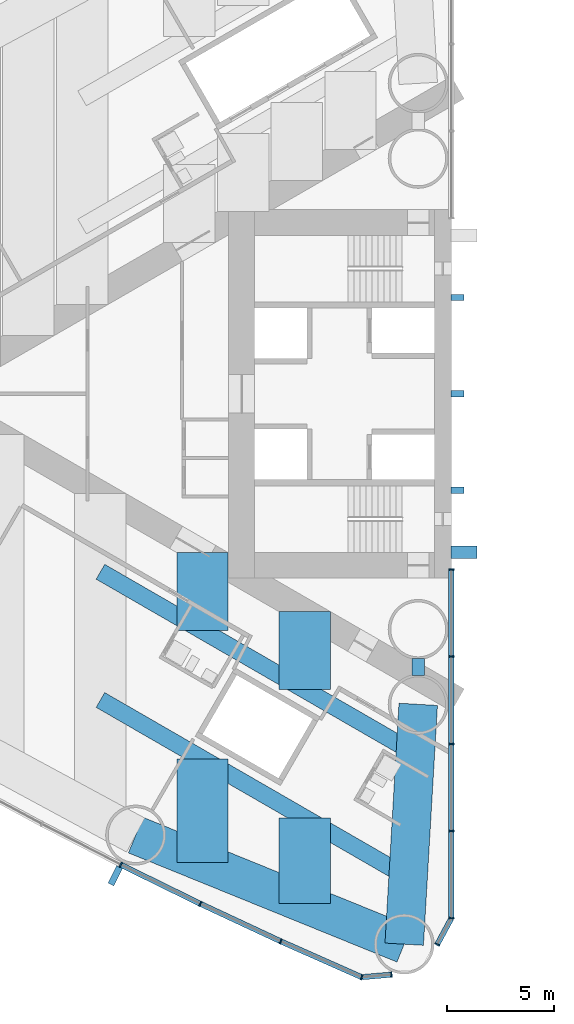
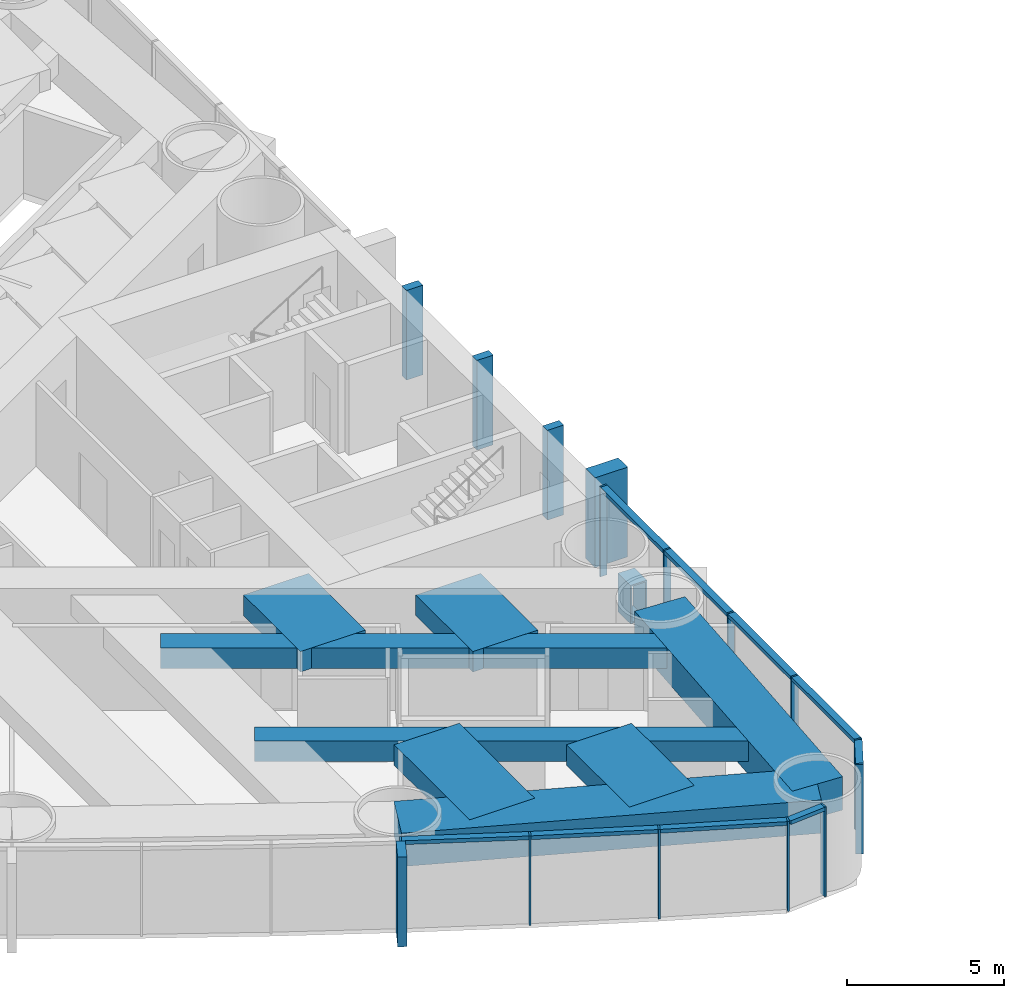
# One storey, part 3 of 18: 25 members, 9 beams, 2 elements without a shape of their own.
"""IFC4 building model written with IfcOpenShell, lengths in metres."""

import ifcopenshell
import ifcopenshell.guid

model = None  # the IFC model being written
_history = None  # IfcOwnerHistory: only IFC2X3 demands one
_inside = {}  # id of a spatial element -> (the spatial element, [elements in it])
_under = {}  # id of a project, library or spatial element -> (it, [spatial elements below it])
_declared = {}  # id of a project -> (the project, [libraries it declares])
_typed = {}  # id of a type object -> (the type object, [elements of that type])
_made_of = {}  # id of a material, layer set ... -> (it, [elements and type objects made of it])


def new_model(schema):
    """Start an empty IFC model of exactly this schema.

    Asked for "IFC4X3", IfcOpenShell would pick the latest addendum, in which some entities
    have other attributes; the version numbers below select the first issue.
    IFC2X3 requires an IfcOwnerHistory on every rooted entity: one is made here for all.
    """
    global model, _history
    if schema == "IFC4X3":
        model = ifcopenshell.file(schema_version=(4, 3, 0, 0))
    else:
        model = ifcopenshell.file(schema=schema)
    _inside.clear()
    _under.clear()
    _declared.clear()
    _typed.clear()
    _made_of.clear()
    _history = None
    if model.schema == "IFC2X3":
        org = make("IfcOrganization", Name="unknown")
        user = make(
            "IfcPersonAndOrganization",
            ThePerson=make("IfcPerson", FamilyName="unknown"),
            TheOrganization=org,
        )
        app = make(
            "IfcApplication",
            ApplicationDeveloper=org,
            Version="unknown",
            ApplicationFullName="unknown",
            ApplicationIdentifier="unknown",
        )
        _history = make(
            "IfcOwnerHistory",
            OwningUser=user,
            OwningApplication=app,
            ChangeAction="ADDED",
            CreationDate=0,
        )
    return model


def make(cls, **values):
    """One entity of the class cls with the attributes given. An attribute that is None is left unset."""
    return model.create_entity(
        cls, **{name: value for name, value in values.items() if value is not None}
    )


def rooted(cls, **values):
    """An entity with a GlobalId (a new one), such as an element, a storey or a relation."""
    return make(cls, GlobalId=ifcopenshell.guid.new(), OwnerHistory=_history, **values)


def si_unit(unit_type, name, prefix=None):
    """IfcSIUnit, for example si_unit("LENGTHUNIT", "METRE", prefix="MILLI")."""
    return make("IfcSIUnit", UnitType=unit_type, Prefix=prefix, Name=name)


def assignment(units):
    """IfcUnitAssignment: the units of a project."""
    return None if units is None else make("IfcUnitAssignment", Units=units)


def point(xyz):
    """IfcCartesianPoint."""
    return None if xyz is None else make("IfcCartesianPoint", Coordinates=xyz)


def direction(xyz):
    """IfcDirection."""
    return None if xyz is None else make("IfcDirection", DirectionRatios=xyz)


def frame(location, z_axis=None, x_axis=None):
    """IfcAxis2Placement3D, a coordinate frame: its origin and axes. An axis left out is left unset."""
    return make(
        "IfcAxis2Placement3D",
        Location=point(location),
        Axis=direction(z_axis),
        RefDirection=direction(x_axis),
    )


def frame_2d(location, x_axis=None):
    """IfcAxis2Placement2D, a coordinate frame in the plane: its origin and x axis."""
    return make(
        "IfcAxis2Placement2D", Location=point(location), RefDirection=direction(x_axis)
    )


def origin():
    """The frame at (0, 0, 0) with its axes left unset."""
    return frame((0.0, 0.0, 0.0))


def origin_2d():
    """The frame at (0, 0) in the plane with its x axis left unset."""
    return frame_2d((0.0, 0.0))


def place(relative_to, where):
    """IfcLocalPlacement: puts the frame where relative to a parent placement (None: the world)."""
    return make(
        "IfcLocalPlacement", PlacementRelTo=relative_to, RelativePlacement=where
    )


def context(
    kind, dimensions, precision=None, world=None, true_north=None, identifier=None
):
    """IfcGeometricRepresentationContext, for example the 3D "Model" context."""
    return make(
        "IfcGeometricRepresentationContext",
        ContextIdentifier=identifier,
        ContextType=kind,
        CoordinateSpaceDimension=dimensions,
        Precision=precision,
        WorldCoordinateSystem=world,
        TrueNorth=true_north,
    )


def subcontext(parent, identifier, kind, view, scale=None):
    """IfcGeometricRepresentationSubContext, for example "Body" below "Model"."""
    return make(
        "IfcGeometricRepresentationSubContext",
        ContextIdentifier=identifier,
        ContextType=kind,
        ParentContext=parent,
        TargetScale=scale,
        TargetView=view,
    )


def project(units=None, contexts=None):
    """IfcProject with its units and contexts."""
    return rooted(
        "IfcProject",
        Name="project",
        RepresentationContexts=contexts,
        UnitsInContext=assignment(units),
    )


def spatial(cls, under=None, at=None, **own):
    """A site, building, storey or space (cls), placed at a placement, below another one or the project."""
    s = rooted(cls, ObjectPlacement=at, **own)
    if under is not None:
        _under.setdefault(under.id(), (under, []))[1].append(s)
    return s


def profile(cls, at=None, kind="AREA", **sizes):
    """A parametric profile (cls). Its sizes go by their IFC names, for example OverallWidth=200.0."""
    return make(cls, ProfileType=kind, Position=at, **sizes)


def rectangle(**sizes):
    """IfcRectangleProfileDef."""
    return profile("IfcRectangleProfileDef", **sizes)


def hollow_rectangle(**sizes):
    """IfcRectangleHollowProfileDef."""
    return profile("IfcRectangleHollowProfileDef", **sizes)


def extrude(swept, where, along, depth):
    """IfcExtrudedAreaSolid: the profile swept, set in the frame where, extruded along a direction by depth."""
    return make(
        "IfcExtrudedAreaSolid",
        SweptArea=swept,
        Position=where,
        ExtrudedDirection=direction(along),
        Depth=depth,
    )


def shape(context_of_items, identifier, shape_type, items):
    """IfcShapeRepresentation: the items that make up one representation, for example the "Body"."""
    return make(
        "IfcShapeRepresentation",
        ContextOfItems=context_of_items,
        RepresentationIdentifier=identifier,
        RepresentationType=shape_type,
        Items=items,
    )


def material(Name=None, Category=None):
    """IfcMaterial."""
    return make("IfcMaterial", Name=Name, Category=Category)


def material_profile(
    of_material, cross_section, Name=None, Category=None, Priority=None
):
    """IfcMaterialProfile: a cross section and its material."""
    return make(
        "IfcMaterialProfile",
        Name=Name,
        Material=of_material,
        Profile=cross_section,
        Priority=Priority,
        Category=Category,
    )


def profile_set(profiles, Name=None, composite=None):
    """IfcMaterialProfileSet."""
    return make(
        "IfcMaterialProfileSet",
        Name=Name,
        MaterialProfiles=profiles,
        CompositeProfile=composite,
    )


def made_of(thing, what):
    """Note that an element or type object is made of a material, layer set ...; save() writes the relation."""
    if what is not None:
        _made_of.setdefault(what.id(), (what, []))[1].append(thing)
    return thing


def type_object(cls, material=None, **own):
    """A type object (cls), such as IfcWallType, which elements share."""
    return made_of(rooted(cls, **own), material)


def element(
    cls,
    number,
    at=None,
    inside=None,
    cuts=None,
    type_object=None,
    material=None,
    context=None,
    identifier="Body",
    shape_type=None,
    held_by="IfcProductDefinitionShape",
    body=None,
    shapes=None,
    **own,
):
    """One element of the class cls, such as IfcWall. Its Tag is "e" and its number.

    at: its placement. inside: the storey or other place that contains it. cuts: it is an
    opening in that element (IfcRelVoidsElement). A single representation is given by context,
    identifier, shape_type and body (its items); several are given by shapes. held_by: the class
    of the entity that holds the representations. save() writes the other relations.
    """
    e = rooted(cls, Tag="e%d" % number, ObjectPlacement=at, **own)
    if body is not None:
        shapes = [shape(context, identifier, shape_type, body)]
    if shapes is not None:
        e.Representation = make(held_by, Representations=shapes)
    if inside is not None:
        _inside.setdefault(inside.id(), (inside, []))[1].append(e)
    if cuts is not None:
        rooted(
            "IfcRelVoidsElement", RelatingBuildingElement=cuts, RelatedOpeningElement=e
        )
    if type_object is not None:
        _typed.setdefault(type_object.id(), (type_object, []))[1].append(e)
    return made_of(e, material)


def aggregate(whole, parts):
    """IfcRelAggregates: a whole, such as a stair, and the parts it consists of."""
    return rooted("IfcRelAggregates", RelatingObject=whole, RelatedObjects=parts)


def save(model, path):
    """Write the relations noted so far, then the file.

    IfcRelAggregates (storeys below a building ...), IfcRelContainedInSpatialStructure (elements
    in a storey), IfcRelDefinesByType, IfcRelAssociatesMaterial and IfcRelDeclares: one each for
    every whole, place, type object, material and project.
    """
    for whole, parts in _under.values():
        aggregate(whole, parts)
    for where, things in _inside.values():
        rooted(
            "IfcRelContainedInSpatialStructure",
            RelatedElements=things,
            RelatingStructure=where,
        )
    for kind, things in _typed.values():
        rooted("IfcRelDefinesByType", RelatedObjects=things, RelatingType=kind)
    for what, things in _made_of.values():
        rooted("IfcRelAssociatesMaterial", RelatedObjects=things, RelatingMaterial=what)
    for by, libraries in _declared.values():
        rooted("IfcRelDeclares", RelatingContext=by, RelatedDefinitions=libraries)
    model.write(path)


model = new_model("IFC4")

# Units and contexts
model_context = context("Model", 3, precision=1e-05, world=origin(), true_north=direction((0.0, 1.0)))
body_context = subcontext(model_context, "Body", "Model", "MODEL_VIEW")
ifc_project = project(units=[si_unit("LENGTHUNIT", "METRE"), si_unit("AREAUNIT", "SQUARE_METRE"), si_unit("VOLUMEUNIT", "CUBIC_METRE"), si_unit("PLANEANGLEUNIT", "RADIAN"), si_unit("MASSUNIT", "GRAM", prefix="KILO")], contexts=[model_context])

# Site, building, storey
site_placement = place(None, origin())
site = spatial("IfcSite", under=ifc_project, at=site_placement, CompositionType="ELEMENT")
building_placement = place(site_placement, origin())
building = spatial("IfcBuilding", under=site, at=building_placement, Name="Lancet Gate Hotel", CompositionType="ELEMENT")
storey_placement = place(building_placement, frame((0.0, 0.0, 53.0)))
storey = spatial("IfcBuildingStorey", under=building, at=storey_placement, Name="L13", CompositionType="ELEMENT", Elevation=53.0)

# Curtain wall, members
ifc_material_1 = material(Name="Aluminium curtain wall", Category="aluminium")
curtain_wall_type = type_object("IfcCurtainWallType", Name="Tower unitised curtain wall", PredefinedType="USERDEFINED", material=ifc_material_1)
curtain_wall_1_placement = place(storey_placement, origin())
curtain_wall_1 = element("IfcCurtainWall", 1, at=curtain_wall_1_placement, inside=storey, type_object=curtain_wall_type, Name="T1 L13 curtain wall 3", ObjectType="UNITISED CURTAIN WALL", PredefinedType="USERDEFINED")
ifc_material_2 = material(Name="Aluminium mullion", Category="aluminium")
ifc_material_profile_1 = material_profile(ifc_material_2, rectangle(XDim=0.06494140625, YDim=0.25, at=origin_2d()), Name="MULLION 65x250")
ifc_profile_set_1 = profile_set([ifc_material_profile_1], Name="Aluminium mullion")
member_type_1 = type_object("IfcMemberType", Name="Aluminium mullion 65x250", PredefinedType="MULLION", material=ifc_profile_set_1)
member_1_placement = place(storey_placement, frame((-42.94189453125, -21.991943359375, 0.0), z_axis=(0.0, 0.0, 1.0), x_axis=(0.893291549794, -0.449477704748, 0.0)))
member_1 = element("IfcMember", 2, at=member_1_placement, type_object=member_type_1, Name="T1 L13 curtain wall 3 mullion 11", PredefinedType="MULLION", context=body_context, shape_type="SweptSolid", body=[
    extrude(rectangle(XDim=0.06494140625, YDim=0.25, at=origin_2d()), origin(), (0.0, 0.0, 1.0), 3.5),
])
member_2_placement = place(storey_placement, frame((-39.225341796875, -23.816650390625, 0.0), z_axis=(0.0, 0.0, 1.0), x_axis=(0.901928838337, -0.431884672772, 0.0)))
member_2 = element("IfcMember", 3, at=member_2_placement, type_object=member_type_1, Name="T1 L13 curtain wall 3 mullion 12", PredefinedType="MULLION", context=body_context, shape_type="SweptSolid", body=[
    extrude(rectangle(XDim=0.06494140625, YDim=0.25, at=origin_2d()), origin(), (0.0, 0.0, 1.0), 3.5),
])
member_3_placement = place(storey_placement, frame((-35.473876953125, -25.568115234375, 0.0), z_axis=(0.0, 0.0, 1.0), x_axis=(0.910219680212, -0.414125746308, 0.0)))
member_3 = element("IfcMember", 4, at=member_3_placement, type_object=member_type_1, Name="T1 L13 curtain wall 3 mullion 13", PredefinedType="MULLION", context=body_context, shape_type="SweptSolid", body=[
    extrude(rectangle(XDim=0.06494140625, YDim=0.25, at=origin_2d()), origin(), (0.0, 0.0, 1.0), 3.5),
])
member_4_placement = place(storey_placement, frame((-31.688720703125, -27.24560546875, 0.0), z_axis=(0.0, 0.0, 1.0), x_axis=(0.957524354695, -0.288352406209, 0.0)))
member_4 = element("IfcMember", 5, at=member_4_placement, type_object=member_type_1, Name="T1 L13 curtain wall 3 mullion 14", PredefinedType="MULLION", context=body_context, shape_type="SweptSolid", body=[
    extrude(rectangle(XDim=0.06494140625, YDim=0.25, at=origin_2d()), origin(), (0.0, 0.0, 1.0), 3.5),
])
member_5_placement = place(storey_placement, frame((-30.3046875, -27.124755859375, 0.0), z_axis=(0.0, 0.0, 1.0), x_axis=(0.99620380374, 0.087051602022, 0.0)))
member_5 = element("IfcMember", 6, at=member_5_placement, type_object=member_type_1, Name="T1 L13 curtain wall 3 mullion 15", PredefinedType="MULLION", context=body_context, shape_type="SweptSolid", body=[
    extrude(rectangle(XDim=0.06494140625, YDim=0.25, at=origin_2d()), origin(), (0.0, 0.0, 1.0), 3.5),
])

curtain_wall_2_placement = place(storey_placement, origin())
curtain_wall_2 = element("IfcCurtainWall", 7, at=curtain_wall_2_placement, inside=storey, type_object=curtain_wall_type, Name="T1 L13 curtain wall 4", ObjectType="UNITISED CURTAIN WALL", PredefinedType="USERDEFINED")
member_6_placement = place(storey_placement, frame((-28.158935546875, -25.712890625, 0.0), z_axis=(0.0, 0.0, 1.0), x_axis=(0.474631040972, 0.880184852714, 0.0)))
member_6 = element("IfcMember", 8, at=member_6_placement, type_object=member_type_1, Name="T1 L13 curtain wall 4 mullion 1", PredefinedType="MULLION", context=body_context, shape_type="SweptSolid", body=[
    extrude(rectangle(XDim=0.06494140625, YDim=0.25, at=origin_2d()), origin(), (0.0, 0.0, 1.0), 3.5),
])
member_7_placement = place(storey_placement, frame((-27.5, -24.4912109375, 0.0), z_axis=(0.0, 0.0, 1.0), x_axis=(0.123482502544, 0.992346749662, 0.0)))
member_7 = element("IfcMember", 9, at=member_7_placement, type_object=member_type_1, Name="T1 L13 curtain wall 4 mullion 2", PredefinedType="MULLION", context=body_context, shape_type="SweptSolid", body=[
    extrude(rectangle(XDim=0.06494140625, YDim=0.25, at=origin_2d()), origin(), (0.0, 0.0, 1.0), 3.5),
])
member_8_placement = place(storey_placement, frame((-27.5, -20.41845703125, 0.0), z_axis=(0.0, 0.0, 1.0), x_axis=(0.0, 1.0, 0.0)))
member_8 = element("IfcMember", 10, at=member_8_placement, type_object=member_type_1, Name="T1 L13 curtain wall 4 mullion 3", PredefinedType="MULLION", context=body_context, shape_type="SweptSolid", body=[
    extrude(rectangle(XDim=0.06494140625, YDim=0.25, at=origin_2d()), origin(), (0.0, 0.0, 1.0), 3.5),
])
member_9_placement = place(storey_placement, frame((-27.5, -16.345703125, 0.0), z_axis=(0.0, 0.0, 1.0), x_axis=(0.0, 1.0, 0.0)))
member_9 = element("IfcMember", 11, at=member_9_placement, type_object=member_type_1, Name="T1 L13 curtain wall 4 mullion 4", PredefinedType="MULLION", context=body_context, shape_type="SweptSolid", body=[
    extrude(rectangle(XDim=0.06494140625, YDim=0.25, at=origin_2d()), origin(), (0.0, 0.0, 1.0), 3.5),
])
member_10_placement = place(storey_placement, frame((-27.5, -12.272705078125, 0.0), z_axis=(0.0, 0.0, 1.0), x_axis=(0.0, 1.0, 0.0)))
member_10 = element("IfcMember", 12, at=member_10_placement, type_object=member_type_1, Name="T1 L13 curtain wall 4 mullion 5", PredefinedType="MULLION", context=body_context, shape_type="SweptSolid", body=[
    extrude(rectangle(XDim=0.06494140625, YDim=0.25, at=origin_2d()), origin(), (0.0, 0.0, 1.0), 3.5),
])
member_11_placement = place(storey_placement, frame((-27.5, -8.199951171875, 0.0), z_axis=(0.0, 0.0, 1.0), x_axis=(0.0, 1.0, 0.0)))
member_11 = element("IfcMember", 13, at=member_11_placement, type_object=member_type_1, Name="T1 L13 curtain wall 4 mullion 6", PredefinedType="MULLION", context=body_context, shape_type="SweptSolid", body=[
    extrude(rectangle(XDim=0.06494140625, YDim=0.25, at=origin_2d()), origin(), (0.0, 0.0, 1.0), 3.5),
])

# Member
ifc_material_3 = material(Name="Aluminium transom", Category="aluminium")
ifc_material_profile_2 = material_profile(ifc_material_3, rectangle(XDim=0.25, YDim=0.14990234375, at=origin_2d()), Name="TRANSOM 250x150")
ifc_profile_set_2 = profile_set([ifc_material_profile_2], Name="Aluminium transom")
member_type_2 = type_object("IfcMemberType", Name="Aluminium transom 250x150", PredefinedType="USERDEFINED", material=ifc_profile_set_2)
member_12_placement = place(storey_placement, frame((-42.912841796875, -22.00634765625, 3.425048828125), z_axis=(0.897662439958, -0.440683723194, 0.0), x_axis=(0.440683723194, 0.897662439958, 0.0)))
member_12 = element("IfcMember", 14, at=member_12_placement, type_object=member_type_2, Name="T1 L13 curtain wall 3 transom 11", ObjectType="TRANSOM", PredefinedType="USERDEFINED", context=body_context, shape_type="SweptSolid", body=[
    extrude(rectangle(XDim=0.25, YDim=0.14990234375, at=origin_2d()), origin(), (0.0, 0.0, 1.0), 4.0751953125),
])

member_13_placement = place(storey_placement, frame((-39.196044921875, -23.830322265625, 3.425048828125), z_axis=(0.906109667261, -0.423042871228, 0.0), x_axis=(0.423042871228, 0.906109667261, 0.0)))
member_13 = element("IfcMember", 15, at=member_13_placement, type_object=member_type_2, Name="T1 L13 curtain wall 3 transom 12", ObjectType="TRANSOM", PredefinedType="USERDEFINED", context=body_context, shape_type="SweptSolid", body=[
    extrude(rectangle(XDim=0.25, YDim=0.14990234375, at=origin_2d()), origin(), (0.0, 0.0, 1.0), 4.075439453125),
])

member_14_placement = place(storey_placement, frame((-35.444091796875, -25.581298828125, 3.425048828125), z_axis=(0.914248281954, -0.405154389022, 0.0), x_axis=(0.405154389022, 0.914248281954, 0.0)))
member_14 = element("IfcMember", 16, at=member_14_placement, type_object=member_type_2, Name="T1 L13 curtain wall 3 transom 13", ObjectType="TRANSOM", PredefinedType="USERDEFINED", context=body_context, shape_type="SweptSolid", body=[
    extrude(rectangle(XDim=0.25, YDim=0.14990234375, at=origin_2d()), origin(), (0.0, 0.0, 1.0), 4.0751953125),
])

member_15_placement = place(storey_placement, frame((-31.65625, -27.242919921875, 3.425048828125), z_axis=(0.99620591587, 0.087027427779, 0.0), x_axis=(-0.087027427779, 0.99620591587, 0.0)))
member_15 = element("IfcMember", 17, at=member_15_placement, type_object=member_type_2, Name="T1 L13 curtain wall 3 transom 14", ObjectType="TRANSOM", PredefinedType="USERDEFINED", context=body_context, shape_type="SweptSolid", body=[
    extrude(rectangle(XDim=0.25, YDim=0.14990234375, at=origin_2d()), origin(), (0.0, 0.0, 1.0), 1.32421875),
])

member_16_placement = place(storey_placement, frame((-28.143310546875, -25.684326171875, 3.425048828125), z_axis=(0.474605926905, 0.880198394765, 0.0), x_axis=(-0.880198394765, 0.474605926905, 0.0)))
member_16 = element("IfcMember", 18, at=member_16_placement, type_object=member_type_2, Name="T1 L13 curtain wall 4 transom 1", ObjectType="TRANSOM", PredefinedType="USERDEFINED", context=body_context, shape_type="SweptSolid", body=[
    extrude(rectangle(XDim=0.25, YDim=0.14990234375, at=origin_2d()), origin(), (0.0, 0.0, 1.0), 1.322998046875),
])

member_17_placement = place(storey_placement, frame((-27.5, -24.458740234375, 3.425048828125), z_axis=(0.0, 1.0, 0.0), x_axis=(-1.0, 0.0, 0.0)))
member_17 = element("IfcMember", 19, at=member_17_placement, type_object=member_type_2, Name="T1 L13 curtain wall 4 transom 2", ObjectType="TRANSOM", PredefinedType="USERDEFINED", context=body_context, shape_type="SweptSolid", body=[
    extrude(rectangle(XDim=0.25, YDim=0.14990234375, at=origin_2d()), origin(), (0.0, 0.0, 1.0), 4.0078125),
])

member_18_placement = place(storey_placement, frame((-27.5, -20.385986328125, 3.425048828125), z_axis=(0.0, 1.0, 0.0), x_axis=(-1.0, 0.0, 0.0)))
member_18 = element("IfcMember", 20, at=member_18_placement, type_object=member_type_2, Name="T1 L13 curtain wall 4 transom 3", ObjectType="TRANSOM", PredefinedType="USERDEFINED", context=body_context, shape_type="SweptSolid", body=[
    extrude(rectangle(XDim=0.25, YDim=0.14990234375, at=origin_2d()), origin(), (0.0, 0.0, 1.0), 4.0078125),
])

member_19_placement = place(storey_placement, frame((-27.5, -16.31298828125, 3.425048828125), z_axis=(0.0, 1.0, 0.0), x_axis=(-1.0, 0.0, 0.0)))
member_19 = element("IfcMember", 21, at=member_19_placement, type_object=member_type_2, Name="T1 L13 curtain wall 4 transom 4", ObjectType="TRANSOM", PredefinedType="USERDEFINED", context=body_context, shape_type="SweptSolid", body=[
    extrude(rectangle(XDim=0.25, YDim=0.14990234375, at=origin_2d()), origin(), (0.0, 0.0, 1.0), 4.0078125),
])

member_20_placement = place(storey_placement, frame((-27.5, -12.240234375, 3.425048828125), z_axis=(0.0, 1.0, 0.0), x_axis=(-1.0, 0.0, 0.0)))
member_20 = element("IfcMember", 22, at=member_20_placement, type_object=member_type_2, Name="T1 L13 curtain wall 4 transom 5", ObjectType="TRANSOM", PredefinedType="USERDEFINED", context=body_context, shape_type="SweptSolid", body=[
    extrude(rectangle(XDim=0.25, YDim=0.14990234375, at=origin_2d()), origin(), (0.0, 0.0, 1.0), 4.0078125),
])

aggregate(curtain_wall_2, [member_6, member_7, member_8, member_9, member_10, member_11, member_16, member_17, member_18, member_19, member_20])

# Beams
ifc_material_4 = material(Name="Concrete C50/60", Category="concrete")
ifc_material_profile_3 = material_profile(ifc_material_4, rectangle(XDim=1.800048828125, YDim=1.300048828125, at=origin_2d()), Name="RC 1800x1300")
ifc_profile_set_3 = profile_set([ifc_material_profile_3], Name="Concrete C50/60")
beam_type_1 = type_object("IfcBeamType", Name="Edge beam RC 1800x1300", PredefinedType="SPANDREL", material=ifc_profile_set_3)
beam_1_placement = place(storey_placement, frame((-42.2451171875, -20.607421875, 2.60009765625), z_axis=(0.926463236197, -0.376385270667, 0.0), x_axis=(0.376385270667, 0.926463236197, 0.0)))
element("IfcBeam", 23, at=beam_1_placement, inside=storey, type_object=beam_type_1, Name="T1 edge beam EB1 L13", PredefinedType="SPANDREL", context=body_context, shape_type="SweptSolid", body=[
    extrude(rectangle(XDim=1.800048828125, YDim=1.300048828125, at=origin_2d()), origin(), (0.0, 0.0, 1.0), 13.537353515625),
])
beam_2_placement = place(storey_placement, frame((-29.050048828125, -14.5, 2.60009765625), z_axis=(-0.058219521912, -0.998303805096, 0.0), x_axis=(0.998303805096, -0.058219521912, 0.0)))
element("IfcBeam", 24, at=beam_2_placement, inside=storey, type_object=beam_type_1, Name="T1 edge beam EB1 L13", PredefinedType="SPANDREL", context=body_context, shape_type="SweptSolid", body=[
    extrude(rectangle(XDim=1.800048828125, YDim=1.300048828125, at=origin_2d()), origin(), (0.0, 0.0, 1.0), 11.2216796875),
])

# Member
ifc_material_5 = material(Name="Concrete C60/75", Category="concrete")
ifc_material_profile_4 = material_profile(ifc_material_5, rectangle(XDim=0.60009765625, YDim=1.199951171875, at=origin_2d()), Name="FIN 600x1200")
ifc_profile_set_4 = profile_set([ifc_material_profile_4], Name="Concrete C60/75")
member_type_3 = type_object("IfcMemberType", Name="Exposed concrete buttress pilaster 600x1200", PredefinedType="USERDEFINED", material=ifc_profile_set_4)
member_21_placement = place(storey_placement, frame((-26.909912109375, -7.39990234375, 0.0), z_axis=(0.0, 0.0, 1.0), x_axis=(0.0, 1.0, 0.0)))
element("IfcMember", 25, at=member_21_placement, inside=storey, type_object=member_type_3, Name="T1 buttress pilaster N L13", ObjectType="FIN", PredefinedType="USERDEFINED", context=body_context, shape_type="SweptSolid", body=[
    extrude(rectangle(XDim=0.60009765625, YDim=1.199951171875, at=origin_2d()), origin(), (0.0, 0.0, 1.0), 3.5),
])

ifc_material_6 = material(Name="Precast concrete C50/60", Category="concrete")
ifc_material_profile_5 = material_profile(ifc_material_6, rectangle(XDim=0.300048828125, YDim=0.89990234375, at=origin_2d()), Name="FIN 300x900")
ifc_profile_set_5 = profile_set([ifc_material_profile_5], Name="Precast concrete C50/60")
member_type_4 = type_object("IfcMemberType", Name="Exposed concrete fin 300x900", PredefinedType="USERDEFINED", material=ifc_profile_set_5)
member_22_placement = place(storey_placement, frame((-43.200439453125, -22.505615234375, 0.0), z_axis=(0.0, 0.0, 1.0), x_axis=(0.893291549794, -0.449477704748, 0.0)))
member_22 = element("IfcMember", 26, at=member_22_placement, type_object=member_type_4, Name="T1 L13 curtain wall 3 fin 11", ObjectType="FIN", PredefinedType="USERDEFINED", context=body_context, shape_type="SweptSolid", body=[
    extrude(rectangle(XDim=0.300048828125, YDim=0.89990234375, at=origin_2d()), origin(), (0.0, 0.0, 1.0), 3.5),
])

aggregate(curtain_wall_1, [member_1, member_22, member_2, member_3, member_4, member_5, member_12, member_13, member_14, member_15])

# Members
ifc_material_7 = material(Name="Concrete C60/75", Category="concrete")
ifc_material_profile_6 = material_profile(ifc_material_7, rectangle(XDim=0.300048828125, YDim=0.60009765625, at=origin_2d()), Name="FIN 300x600")
ifc_profile_set_6 = profile_set([ifc_material_profile_6], Name="Concrete C60/75")
member_type_5 = type_object("IfcMemberType", Name="Exposed concrete rib 300x600", PredefinedType="USERDEFINED", material=ifc_profile_set_6)
for number, where, z_axis, x_axis, name in (
    (27, (-27.2099609375, 4.5, 0.0), (0.0, 0.0, 1.0), (0.0, 1.0, 0.0), "T1 core rib 1 L13"),
    (28, (-27.2099609375, 0.0, 0.0), (0.0, 0.0, 1.0), (0.0, 1.0, 0.0), "T1 core rib 2 L13"),
    (29, (-27.2099609375, -4.5, 0.0), (0.0, 0.0, 1.0), (0.0, 1.0, 0.0), "T1 core rib 3 L13"),
):
    element("IfcMember", number, at=place(storey_placement, frame(where, z_axis=z_axis, x_axis=x_axis)), inside=storey, type_object=member_type_5, Name=name, ObjectType="FIN", PredefinedType="USERDEFINED", context=body_context, shape_type="SweptSolid", body=[
        extrude(rectangle(XDim=0.300048828125, YDim=0.60009765625, at=origin_2d()), origin(), (0.0, 0.0, 1.0), 3.5),
    ])

# Beams
ifc_material_8 = material(Name="Concrete C50/60", Category="concrete")
ifc_material_profile_7 = material_profile(ifc_material_8, rectangle(XDim=2.39990234375, YDim=0.800048828125, at=origin_2d()), Name="RC 2400x800")
ifc_profile_set_7 = profile_set([ifc_material_profile_7], Name="Concrete C50/60")
beam_type_2 = type_object("IfcBeamType", Name="Floor beam RC 2400x800", PredefinedType="BEAM", material=ifc_profile_set_7)
beam_3_placement = place(storey_placement, frame((-34.353515625, -10.169921875, 2.85009765625), z_axis=(0.0, -1.0, 0.0), x_axis=(1.0, 0.0, 0.0)))
element("IfcBeam", 30, at=beam_3_placement, inside=storey, type_object=beam_type_2, Name="T1 floor beam F03NA L13", PredefinedType="BEAM", context=body_context, shape_type="SweptSolid", body=[
    extrude(rectangle(XDim=2.39990234375, YDim=0.800048828125, at=origin_2d()), origin(), (0.0, 0.0, 1.0), 3.645751953125),
])
beam_4_placement = place(storey_placement, frame((-34.353515625, -19.802978515625, 2.85009765625), z_axis=(0.0, -1.0, 0.0), x_axis=(1.0, 0.0, 0.0)))
element("IfcBeam", 31, at=beam_4_placement, inside=storey, type_object=beam_type_2, Name="T1 floor beam F03NB L13", PredefinedType="BEAM", context=body_context, shape_type="SweptSolid", body=[
    extrude(rectangle(XDim=2.39990234375, YDim=0.800048828125, at=origin_2d()), origin(), (0.0, 0.0, 1.0), 4.010498046875),
])
beam_5_placement = place(storey_placement, frame((-39.122314453125, -7.41650390625, 2.85009765625), z_axis=(0.0, -1.0, 0.0), x_axis=(1.0, 0.0, 0.0)))
element("IfcBeam", 32, at=beam_5_placement, inside=storey, type_object=beam_type_2, Name="T1 floor beam F06NA L13", PredefinedType="BEAM", context=body_context, shape_type="SweptSolid", body=[
    extrude(rectangle(XDim=2.39990234375, YDim=0.800048828125, at=origin_2d()), origin(), (0.0, 0.0, 1.0), 3.64599609375),
])
beam_6_placement = place(storey_placement, frame((-39.122314453125, -17.0498046875, 2.85009765625), z_axis=(0.0, -1.0, 0.0), x_axis=(1.0, 0.0, 0.0)))
element("IfcBeam", 33, at=beam_6_placement, inside=storey, type_object=beam_type_2, Name="T1 floor beam F06NB L13", PredefinedType="BEAM", context=body_context, shape_type="SweptSolid", body=[
    extrude(rectangle(XDim=2.39990234375, YDim=0.800048828125, at=origin_2d()), origin(), (0.0, 0.0, 1.0), 4.826416015625),
])
ifc_material_9 = material(Name="Steel S460QL", Category="steel")
ifc_material_profile_8 = material_profile(ifc_material_9, hollow_rectangle(XDim=0.60009765625, YDim=1.5, WallThickness=0.050048828125, at=origin_2d()), Name="BOX 1500x600x50")
ifc_profile_set_8 = profile_set([ifc_material_profile_8], Name="Steel S460QL")
beam_type_3 = type_object("IfcBeamType", Name="Inner-face link beam BOX 1500x600x50", PredefinedType="BEAM", material=ifc_profile_set_8)
beam_7_placement = place(storey_placement, frame((-29.050048828125, -12.35009765625, 2.5), z_axis=(0.0, -1.0, 0.0), x_axis=(1.0, 0.0, 0.0)))
element("IfcBeam", 34, at=beam_7_placement, inside=storey, type_object=beam_type_3, Name="T1 inner-face link beam LK1 L13", PredefinedType="BEAM", context=body_context, shape_type="SweptSolid", body=[
    extrude(hollow_rectangle(XDim=0.60009765625, YDim=1.5, WallThickness=0.050048828125, at=origin_2d()), origin(), (0.0, 0.0, 1.0), 0.7998046875),
])
ifc_material_10 = material(Name="Steel S460QL", Category="steel")
ifc_material_profile_9 = material_profile(ifc_material_10, hollow_rectangle(XDim=0.800048828125, YDim=0.800048828125, WallThickness=0.080078125, at=origin_2d()), Name="BOX 800x800x80")
ifc_profile_set_9 = profile_set([ifc_material_profile_9], Name="Steel S460QL")
beam_type_4 = type_object("IfcBeamType", Name="Trimmer beam BOX 800x800x80", PredefinedType="BEAM", material=ifc_profile_set_9)
for number, where, z_axis, x_axis, name in (
    (35, (-29.58447265625, -22.55615234375, 2.85009765625), (-0.866040141834, 0.49997447208, 0.0), (-0.49997447208, -0.866040141834, 0.0), "T1 trimmer beam TR03N L13"),
    (36, (-29.58447265625, -16.56884765625, 2.85009765625), (-0.866040141834, 0.49997447208, 0.0), (-0.49997447208, -0.866040141834, 0.0), "T1 trimmer beam TR04N L13"),
):
    element("IfcBeam", number, at=place(storey_placement, frame(where, z_axis=z_axis, x_axis=x_axis)), inside=storey, type_object=beam_type_4, Name=name, PredefinedType="BEAM", context=body_context, shape_type="SweptSolid", body=[
        extrude(hollow_rectangle(XDim=0.800048828125, YDim=0.800048828125, WallThickness=0.080078125, at=origin_2d()), origin(), (0.0, 0.0, 1.0), 16.519775390625),
    ])

save(model, "model.ifc")
